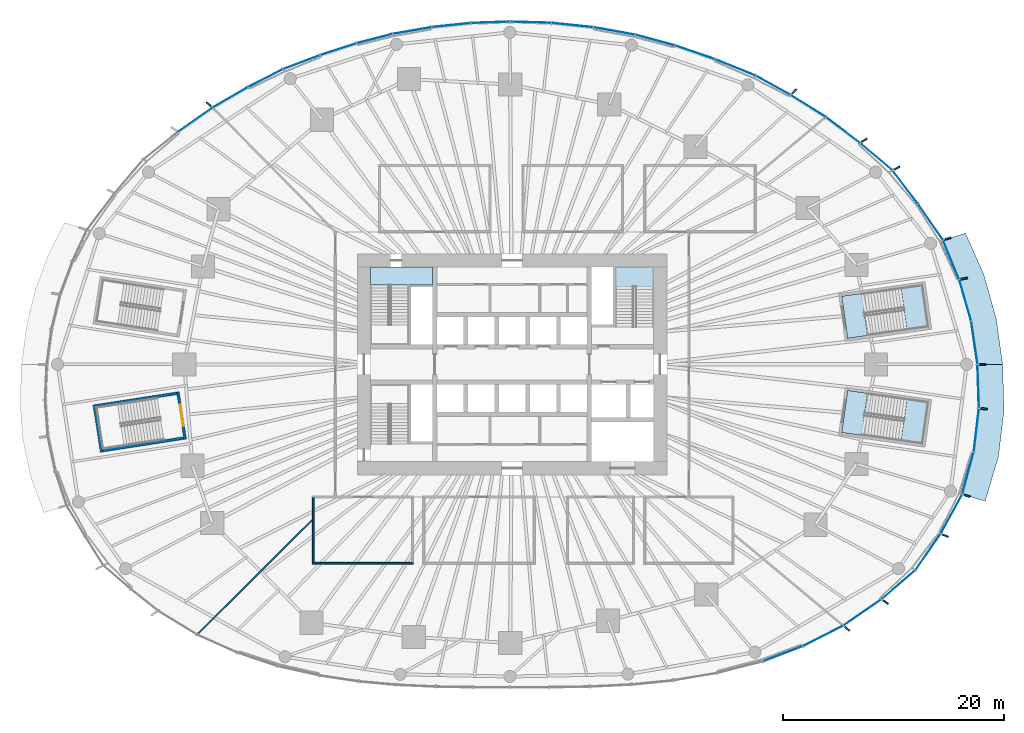
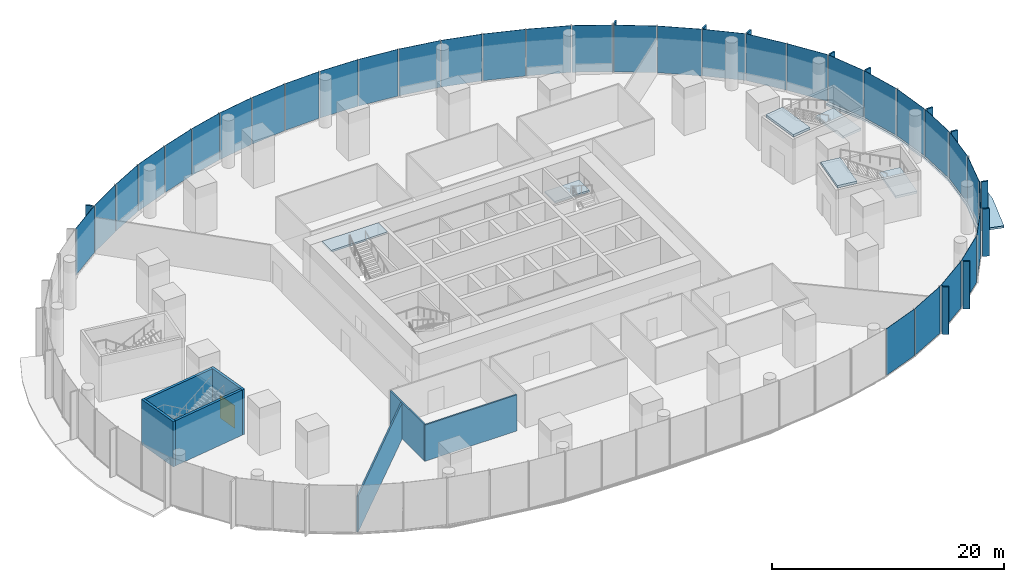
# One storey, part 11 of 28: 45 plates, 8 slabs, 7 walls, 1 door, 1 opening, 15 elements without a shape of their own.
"""IFC4 building model written with IfcOpenShell, lengths in metres."""

from ifc_helpers import new_model, si_unit, direction, frame, frame_2d, origin, origin_2d, place, context, subcontext, project, spatial, polyline, rectangle, outline, extrude, material, layer, layer_set, type_object, element, fill, aggregate, save


model = new_model("IFC4")

# Units and contexts
model_context = context("Model", 3, precision=1e-05, world=origin(), true_north=direction((0.0, 1.0)))
body_context = subcontext(model_context, "Body", "Model", "MODEL_VIEW")
ifc_project = project(units=[si_unit("LENGTHUNIT", "METRE"), si_unit("AREAUNIT", "SQUARE_METRE"), si_unit("VOLUMEUNIT", "CUBIC_METRE"), si_unit("PLANEANGLEUNIT", "RADIAN"), si_unit("MASSUNIT", "GRAM", prefix="KILO")], contexts=[model_context])

# Site, building, storey
site_placement = place(None, origin())
site = spatial("IfcSite", under=ifc_project, at=site_placement, CompositionType="ELEMENT")
building_placement = place(site_placement, origin())
building = spatial("IfcBuilding", under=site, at=building_placement, Name="Ghaith Harvest Tower", CompositionType="ELEMENT")
storey_placement = place(building_placement, frame((0.0, 0.0, 5.0)))
storey = spatial("IfcBuildingStorey", under=building, at=storey_placement, Name="L01", CompositionType="ELEMENT", Elevation=5.0)

# Slabs
ifc_material_1 = material(Name="Concrete C40/50", Category="concrete")
ifc_layer_1 = layer(ifc_material_1, 0.219970703125)
ifc_layer_set_1 = layer_set([ifc_layer_1], Name="CANOPY SLAB 220")
slab_type_1 = type_object("IfcSlabType", Name="CANOPY SLAB 220", PredefinedType="ROOF", material=ifc_layer_set_1)
slab_1_placement = place(storey_placement, frame((0.0, 0.0, -0.219970703125)))
element("IfcSlab", 1, at=slab_1_placement, inside=storey, type_object=slab_type_1, Name="Entrance canopy bay 01", PredefinedType="ROOF", context=body_context, shape_type="SweptSolid", body=[
    extrude(outline(polyline([(42.0, 0.0), (41.43310546875, 3.897216796875), (40.3486328125, 7.658203125), (38.736572265625, 11.195556640625), (41.042236328125, 11.862060546875), (42.70654296875, 8.105712890625), (43.822509765625, 4.1220703125), (44.39990234375, 0.0), (42.0, 0.0)])), origin(), (0.0, 0.0, 1.0), 0.219970703125),
])
slab_2_placement = place(storey_placement, frame((0.0, 0.0, -0.219970703125)))
element("IfcSlab", 2, at=slab_2_placement, inside=storey, type_object=slab_type_1, Name="Entrance canopy bay 20", PredefinedType="ROOF", context=body_context, shape_type="SweptSolid", body=[
    extrude(outline(polyline([(40.513427734375, -11.709228515625), (41.6611328125, -7.9072265625), (42.129150390625, -3.962646484375), (42.0, 0.0), (44.39990234375, 0.0), (44.5185546875, -4.1875), (44.01904296875, -8.354736328125), (42.819091796875, -12.37548828125), (40.513427734375, -11.709228515625)])), origin(), (0.0, 0.0, 1.0), 0.219970703125),
])

# Curtain wall, plates
ifc_material_2 = material(Name="Black anodised aluminium and fritted glass", Category="aluminium")
curtain_wall_type = type_object("IfcCurtainWallType", Name="CW-P CURTAIN WALL", PredefinedType="NOTDEFINED", material=ifc_material_2)
curtain_wall_1_placement = place(storey_placement, origin())
curtain_wall_1 = element("IfcCurtainWall", 3, at=curtain_wall_1_placement, inside=storey, type_object=curtain_wall_type, Name="Curtain wall CW-P bay 01 L01", PredefinedType="NOTDEFINED")
ifc_material_3 = material(Name="Glass, dark solar-control fritted double glazed unit", Category="glass")
ifc_layer_2 = layer(ifc_material_3, 0.035888671875)
ifc_layer_set_2 = layer_set([ifc_layer_2], Name="CW-P VISION PANEL")
plate_type_1 = type_object("IfcPlateType", Name="CW-P VISION PANEL", PredefinedType="CURTAIN_PANEL", material=ifc_layer_set_2)
plate_1_placement = place(storey_placement, frame((41.836181640625, 1.954345703125, 0.080078125), z_axis=(0.0, 0.0, 1.0), x_axis=(-0.143669974219, 0.989625655745, 0.0)))
plate_1 = element("IfcPlate", 4, at=plate_1_placement, type_object=plate_type_1, Name="CW-P glass unit 1 bay 01 L01", PredefinedType="CURTAIN_PANEL", context=body_context, shape_type="SweptSolid", body=[
    extrude(rectangle(XDim=3.869384765625, YDim=0.035888671875, at=origin_2d()), origin(), (0.0, 0.0, 1.0), 4.919921875),
])
plate_2_placement = place(storey_placement, frame((41.009521484375, 5.79443359375, 0.080078125), z_axis=(0.0, 0.0, 1.0), x_axis=(-0.276672749638, 0.96096419788, 0.0)))
plate_2 = element("IfcPlate", 5, at=plate_2_placement, type_object=plate_type_1, Name="CW-P glass unit 2 bay 01 L01", PredefinedType="CURTAIN_PANEL", context=body_context, shape_type="SweptSolid", body=[
    extrude(rectangle(XDim=3.845458984375, YDim=0.035888671875, at=origin_2d()), origin(), (0.0, 0.0, 1.0), 4.919921875),
])
plate_3_placement = place(storey_placement, frame((39.7265625, 9.47412109375, 0.080078125), z_axis=(0.0, 0.0, 1.0), x_axis=(-0.38143049293, 0.924397522207, 0.0)))
plate_3 = element("IfcPlate", 6, at=plate_3_placement, type_object=plate_type_1, Name="CW-P glass unit 3 bay 01 L01", PredefinedType="CURTAIN_PANEL", context=body_context, shape_type="SweptSolid", body=[
    extrude(rectangle(XDim=3.80078125, YDim=0.035888671875, at=origin_2d()), origin(), (0.0, 0.0, 1.0), 4.919921875),
])
aggregate(curtain_wall_1, [plate_1, plate_2, plate_3])

curtain_wall_2_placement = place(storey_placement, origin())
curtain_wall_2 = element("IfcCurtainWall", 7, at=curtain_wall_2_placement, inside=storey, type_object=curtain_wall_type, Name="Curtain wall CW-P bay 02 L01", PredefinedType="NOTDEFINED")
plate_4_placement = place(storey_placement, frame((37.86181640625, 12.89599609375, 0.080078125), z_axis=(0.0, 0.0, 1.0), x_axis=(-0.568319762502, 0.822807782869, 0.0)))
plate_4 = element("IfcPlate", 8, at=plate_4_placement, type_object=plate_type_1, Name="CW-P glass unit 1 bay 02 L01", PredefinedType="CURTAIN_PANEL", context=body_context, shape_type="SweptSolid", body=[
    extrude(rectangle(XDim=3.87744140625, YDim=0.035888671875, at=origin_2d()), origin(), (0.0, 0.0, 1.0), 4.919921875),
])
plate_5_placement = place(storey_placement, frame((35.58056640625, 16.040283203125, 0.080078125), z_axis=(0.0, 0.0, 1.0), x_axis=(-0.606572464955, 0.79502820375, 0.0)))
plate_5 = element("IfcPlate", 9, at=plate_5_placement, type_object=plate_type_1, Name="CW-P glass unit 2 bay 02 L01", PredefinedType="CURTAIN_PANEL", context=body_context, shape_type="SweptSolid", body=[
    extrude(rectangle(XDim=3.734375, YDim=0.035888671875, at=origin_2d()), origin(), (0.0, 0.0, 1.0), 4.919921875),
])
plate_6_placement = place(storey_placement, frame((32.95703125, 18.798583984375, 0.080078125), z_axis=(0.0, 0.0, 1.0), x_axis=(-0.763058226753, 0.646329747563, 0.0)))
plate_6 = element("IfcPlate", 10, at=plate_6_placement, type_object=plate_type_1, Name="CW-P glass unit 3 bay 02 L01", PredefinedType="CURTAIN_PANEL", context=body_context, shape_type="SweptSolid", body=[
    extrude(rectangle(XDim=3.763916015625, YDim=0.035888671875, at=origin_2d()), origin(), (0.0, 0.0, 1.0), 4.919921875),
])
aggregate(curtain_wall_2, [plate_4, plate_5, plate_6])

curtain_wall_3_placement = place(storey_placement, origin())
curtain_wall_3 = element("IfcCurtainWall", 11, at=curtain_wall_3_placement, inside=storey, type_object=curtain_wall_type, Name="Curtain wall CW-P bay 03 L01", PredefinedType="NOTDEFINED")
plate_7_placement = place(storey_placement, frame((29.939208984375, 21.217529296875, 0.080078125), z_axis=(0.0, 0.0, 1.0), x_axis=(-0.796789304004, 0.604257234152, 0.0)))
plate_7 = element("IfcPlate", 12, at=plate_7_placement, type_object=plate_type_1, Name="CW-P glass unit 1 bay 03 L01", PredefinedType="CURTAIN_PANEL", context=body_context, shape_type="SweptSolid", body=[
    extrude(rectangle(XDim=3.814208984375, YDim=0.035888671875, at=origin_2d()), origin(), (0.0, 0.0, 1.0), 4.919921875),
])
plate_8_placement = place(storey_placement, frame((26.792236328125, 23.390625, 0.080078125), z_axis=(0.0, 0.0, 1.0), x_axis=(-0.848104662125, 0.529828729008, 0.0)))
plate_8 = element("IfcPlate", 13, at=plate_8_placement, type_object=plate_type_1, Name="CW-P glass unit 2 bay 03 L01", PredefinedType="CURTAIN_PANEL", context=body_context, shape_type="SweptSolid", body=[
    extrude(rectangle(XDim=3.68212890625, YDim=0.035888671875, at=origin_2d()), origin(), (0.0, 0.0, 1.0), 4.919921875),
])
plate_9_placement = place(storey_placement, frame((23.61669921875, 25.259765625, 0.080078125), z_axis=(0.0, 0.0, 1.0), x_axis=(-0.875433237437, 0.483339059865, 0.0)))
plate_9 = element("IfcPlate", 14, at=plate_9_placement, type_object=plate_type_1, Name="CW-P glass unit 3 bay 03 L01", PredefinedType="CURTAIN_PANEL", context=body_context, shape_type="SweptSolid", body=[
    extrude(rectangle(XDim=3.5302734375, YDim=0.035888671875, at=origin_2d()), origin(), (0.0, 0.0, 1.0), 4.919921875),
])
aggregate(curtain_wall_3, [plate_7, plate_8, plate_9])

curtain_wall_4_placement = place(storey_placement, origin())
curtain_wall_4 = element("IfcCurtainWall", 15, at=curtain_wall_4_placement, inside=storey, type_object=curtain_wall_type, Name="Curtain wall CW-P bay 04 L01", PredefinedType="NOTDEFINED")
plate_10_placement = place(storey_placement, frame((20.19189453125, 26.87744140625, 0.080078125), z_axis=(0.0, 0.0, 1.0), x_axis=(-0.927191364168, 0.374588005964, 0.0)))
plate_10 = element("IfcPlate", 16, at=plate_10_placement, type_object=plate_type_1, Name="CW-P glass unit 1 bay 04 L01", PredefinedType="CURTAIN_PANEL", context=body_context, shape_type="SweptSolid", body=[
    extrude(rectangle(XDim=3.89892578125, YDim=0.035888671875, at=origin_2d()), origin(), (0.0, 0.0, 1.0), 4.919921875),
])
plate_11_placement = place(storey_placement, frame((16.54150390625, 28.243896484375, 0.080078125), z_axis=(0.0, 0.0, 1.0), x_axis=(-0.945624046403, 0.325261683672, 0.0)))
plate_11 = element("IfcPlate", 17, at=plate_11_placement, type_object=plate_type_1, Name="CW-P glass unit 2 bay 04 L01", PredefinedType="CURTAIN_PANEL", context=body_context, shape_type="SweptSolid", body=[
    extrude(rectangle(XDim=3.739013671875, YDim=0.035888671875, at=origin_2d()), origin(), (0.0, 0.0, 1.0), 4.919921875),
])
plate_12_placement = place(storey_placement, frame((12.944091796875, 29.3486328125, 0.080078125), z_axis=(0.0, 0.0, 1.0), x_axis=(-0.965444604575, 0.260608356539, 0.0)))
plate_12 = element("IfcPlate", 18, at=plate_12_placement, type_object=plate_type_1, Name="CW-P glass unit 3 bay 04 L01", PredefinedType="CURTAIN_PANEL", context=body_context, shape_type="SweptSolid", body=[
    extrude(rectangle(XDim=3.6318359375, YDim=0.035888671875, at=origin_2d()), origin(), (0.0, 0.0, 1.0), 4.919921875),
])
aggregate(curtain_wall_4, [plate_10, plate_11, plate_12])

curtain_wall_5_placement = place(storey_placement, origin())
curtain_wall_5 = element("IfcCurtainWall", 19, at=curtain_wall_5_placement, inside=storey, type_object=curtain_wall_type, Name="Curtain wall CW-P bay 05 L01", PredefinedType="NOTDEFINED")
plate_13_placement = place(storey_placement, frame((9.248779296875, 30.17333984375, 0.080078125), z_axis=(0.0, 0.0, 1.0), x_axis=(-0.984324537633, 0.176366676597, 0.0)))
plate_13 = element("IfcPlate", 20, at=plate_13_placement, type_object=plate_type_1, Name="CW-P glass unit 1 bay 05 L01", PredefinedType="CURTAIN_PANEL", context=body_context, shape_type="SweptSolid", body=[
    extrude(rectangle(XDim=3.787841796875, YDim=0.035888671875, at=origin_2d()), origin(), (0.0, 0.0, 1.0), 4.919921875),
])
plate_14_placement = place(storey_placement, frame((5.452880859375, 30.711669921875, 0.080078125), z_axis=(0.0, 0.0, 1.0), x_axis=(-0.994606630685, 0.103719092734, 0.0)))
plate_14 = element("IfcPlate", 21, at=plate_14_placement, type_object=plate_type_1, Name="CW-P glass unit 2 bay 05 L01", PredefinedType="CURTAIN_PANEL", context=body_context, shape_type="SweptSolid", body=[
    extrude(rectangle(XDim=3.72509765625, YDim=0.035888671875, at=origin_2d()), origin(), (0.0, 0.0, 1.0), 4.919921875),
])
plate_15_placement = place(storey_placement, frame((1.674072265625, 30.96435546875, 0.080078125), z_axis=(0.0, 0.0, 1.0), x_axis=(-0.999570129731, 0.0293181812, 0.0)))
plate_15 = element("IfcPlate", 22, at=plate_15_placement, type_object=plate_type_1, Name="CW-P glass unit 3 bay 05 L01", PredefinedType="CURTAIN_PANEL", context=body_context, shape_type="SweptSolid", body=[
    extrude(rectangle(XDim=3.6943359375, YDim=0.035888671875, at=origin_2d()), origin(), (0.0, 0.0, 1.0), 4.919921875),
])
aggregate(curtain_wall_5, [plate_13, plate_14, plate_15])

curtain_wall_6_placement = place(storey_placement, origin())
curtain_wall_6 = element("IfcCurtainWall", 23, at=curtain_wall_6_placement, inside=storey, type_object=curtain_wall_type, Name="Curtain wall CW-P bay 06 L01", PredefinedType="NOTDEFINED")
plate_16_placement = place(storey_placement, frame((-1.970458984375, 30.958740234375, 0.080078125), z_axis=(0.0, 0.0, 1.0), x_axis=(-0.99939937953, -0.034653718343, 0.0)))
plate_16 = element("IfcPlate", 24, at=plate_16_placement, type_object=plate_type_1, Name="CW-P glass unit 1 bay 06 L01", PredefinedType="CURTAIN_PANEL", context=body_context, shape_type="SweptSolid", body=[
    extrude(rectangle(XDim=3.4384765625, YDim=0.035888671875, at=origin_2d()), origin(), (0.0, 0.0, 1.0), 4.919921875),
])
plate_17_placement = place(storey_placement, frame((-5.4921875, 30.71240234375, 0.080078125), z_axis=(0.0, 0.0, 1.0), x_axis=(-0.994524938155, -0.104499509031, 0.0)))
plate_17 = element("IfcPlate", 25, at=plate_17_placement, type_object=plate_type_1, Name="CW-P glass unit 2 bay 06 L01", PredefinedType="CURTAIN_PANEL", context=body_context, shape_type="SweptSolid", body=[
    extrude(rectangle(XDim=3.46630859375, YDim=0.035888671875, at=origin_2d()), origin(), (0.0, 0.0, 1.0), 4.919921875),
])
plate_18_placement = place(storey_placement, frame((-9.029052734375, 30.218505859375, 0.080078125), z_axis=(0.0, 0.0, 1.0), x_axis=(-0.985183345392, -0.171504448814, 0.0)))
plate_18 = element("IfcPlate", 26, at=plate_18_placement, type_object=plate_type_1, Name="CW-P glass unit 3 bay 06 L01", PredefinedType="CURTAIN_PANEL", context=body_context, shape_type="SweptSolid", body=[
    extrude(rectangle(XDim=3.5205078125, YDim=0.035888671875, at=origin_2d()), origin(), (0.0, 0.0, 1.0), 4.919921875),
])
aggregate(curtain_wall_6, [plate_16, plate_17, plate_18])

curtain_wall_7_placement = place(storey_placement, origin())
curtain_wall_7 = element("IfcCurtainWall", 27, at=curtain_wall_7_placement, inside=storey, type_object=curtain_wall_type, Name="Curtain wall CW-P bay 07 L01", PredefinedType="NOTDEFINED")
plate_19_placement = place(storey_placement, frame((-12.441162109375, 29.484619140625, 0.080078125), z_axis=(0.0, 0.0, 1.0), x_axis=(-0.967939505132, -0.251183427805, 0.0)))
plate_19 = element("IfcPlate", 28, at=plate_19_placement, type_object=plate_type_1, Name="CW-P glass unit 1 bay 07 L01", PredefinedType="CURTAIN_PANEL", context=body_context, shape_type="SweptSolid", body=[
    extrude(rectangle(XDim=3.30517578125, YDim=0.035888671875, at=origin_2d()), origin(), (0.0, 0.0, 1.0), 4.919921875),
])
plate_20_placement = place(storey_placement, frame((-15.7294921875, 28.52197265625, 0.080078125), z_axis=(0.0, 0.0, 1.0), x_axis=(-0.950850408978, -0.309650609149, 0.0)))
plate_20 = element("IfcPlate", 29, at=plate_20_placement, type_object=plate_type_1, Name="CW-P glass unit 2 bay 07 L01", PredefinedType="CURTAIN_PANEL", context=body_context, shape_type="SweptSolid", body=[
    extrude(rectangle(XDim=3.390869140625, YDim=0.035888671875, at=origin_2d()), origin(), (0.0, 0.0, 1.0), 4.919921875),
])
plate_21_placement = place(storey_placement, frame((-19.0634765625, 27.349365234375, 0.080078125), z_axis=(0.0, 0.0, 1.0), x_axis=(-0.935612347435, -0.353029085667, 0.0)))
plate_21 = element("IfcPlate", 30, at=plate_21_placement, type_object=plate_type_1, Name="CW-P glass unit 3 bay 07 L01", PredefinedType="CURTAIN_PANEL", context=body_context, shape_type="SweptSolid", body=[
    extrude(rectangle(XDim=3.51904296875, YDim=0.035888671875, at=origin_2d()), origin(), (0.0, 0.0, 1.0), 4.919921875),
])
aggregate(curtain_wall_7, [plate_19, plate_20, plate_21])

curtain_wall_8_placement = place(storey_placement, origin())
curtain_wall_8 = element("IfcCurtainWall", 31, at=curtain_wall_8_placement, inside=storey, type_object=curtain_wall_type, Name="Curtain wall CW-P bay 08 L01", PredefinedType="NOTDEFINED")
plate_22_placement = place(storey_placement, frame((-22.32763671875, 25.904541015625, 0.080078125), z_axis=(0.0, 0.0, 1.0), x_axis=(-0.890032995801, -0.455896113589, 0.0)))
plate_22 = element("IfcPlate", 32, at=plate_22_placement, type_object=plate_type_1, Name="CW-P glass unit 1 bay 08 L01", PredefinedType="CURTAIN_PANEL", context=body_context, shape_type="SweptSolid", body=[
    extrude(rectangle(XDim=3.4716796875, YDim=0.035888671875, at=origin_2d()), origin(), (0.0, 0.0, 1.0), 4.919921875),
])
plate_23_placement = place(storey_placement, frame((-25.5068359375, 24.167236328125, 0.080078125), z_axis=(0.0, 0.0, 1.0), x_axis=(-0.864982081732, -0.50180274838, 0.0)))
plate_23 = element("IfcPlate", 33, at=plate_23_placement, type_object=plate_type_1, Name="CW-P glass unit 2 bay 08 L01", PredefinedType="CURTAIN_PANEL", context=body_context, shape_type="SweptSolid", body=[
    extrude(rectangle(XDim=3.616943359375, YDim=0.035888671875, at=origin_2d()), origin(), (0.0, 0.0, 1.0), 4.919921875),
])
plate_24_placement = place(storey_placement, frame((-28.675048828125, 22.14208984375, 0.080078125), z_axis=(0.0, 0.0, 1.0), x_axis=(-0.819391761337, -0.573233932572, 0.0)))
plate_24 = element("IfcPlate", 34, at=plate_24_placement, type_object=plate_type_1, Name="CW-P glass unit 3 bay 08 L01", PredefinedType="CURTAIN_PANEL", context=body_context, shape_type="SweptSolid", body=[
    extrude(rectangle(XDim=3.750244140625, YDim=0.035888671875, at=origin_2d()), origin(), (0.0, 0.0, 1.0), 4.919921875),
])
aggregate(curtain_wall_8, [plate_22, plate_23, plate_24])

curtain_wall_9_placement = place(storey_placement, origin())
curtain_wall_9 = element("IfcCurtainWall", 35, at=curtain_wall_9_placement, inside=storey, type_object=curtain_wall_type, Name="Curtain wall CW-P bay 18 L01", PredefinedType="NOTDEFINED")
plate_25_placement = place(storey_placement, frame((24.50927734375, -26.193603515625, 0.080078125), z_axis=(0.0, 0.0, 1.0), x_axis=(0.933706409347, 0.358039580416, 0.0)))
plate_25 = element("IfcPlate", 36, at=plate_25_placement, type_object=plate_type_1, Name="CW-P glass unit 1 bay 18 L01", PredefinedType="CURTAIN_PANEL", context=body_context, shape_type="SweptSolid", body=[
    extrude(rectangle(XDim=3.838623046875, YDim=0.035888671875, at=origin_2d()), origin(), (0.0, 0.0, 1.0), 4.919921875),
])
plate_26_placement = place(storey_placement, frame((28.1552734375, -24.56787109375, 0.080078125), z_axis=(0.0, 0.0, 1.0), x_axis=(0.891266896046, 0.453479128531, 0.0)))
plate_26 = element("IfcPlate", 37, at=plate_26_placement, type_object=plate_type_1, Name="CW-P glass unit 2 bay 18 L01", PredefinedType="CURTAIN_PANEL", context=body_context, shape_type="SweptSolid", body=[
    extrude(rectangle(XDim=3.996337890625, YDim=0.035888671875, at=origin_2d()), origin(), (0.0, 0.0, 1.0), 4.919921875),
])
plate_27_placement = place(storey_placement, frame((31.693603515625, -22.454833984375, 0.080078125), z_axis=(0.0, 0.0, 1.0), x_axis=(0.822893098404, 0.568196223676, 0.0)))
plate_27 = element("IfcPlate", 38, at=plate_27_placement, type_object=plate_type_1, Name="CW-P glass unit 3 bay 18 L01", PredefinedType="CURTAIN_PANEL", context=body_context, shape_type="SweptSolid", body=[
    extrude(rectangle(XDim=4.104736328125, YDim=0.035888671875, at=origin_2d()), origin(), (0.0, 0.0, 1.0), 4.919921875),
])
aggregate(curtain_wall_9, [plate_25, plate_26, plate_27])

curtain_wall_10_placement = place(storey_placement, origin())
curtain_wall_10 = element("IfcCurtainWall", 39, at=curtain_wall_10_placement, inside=storey, type_object=curtain_wall_type, Name="Curtain wall CW-P bay 19 L01", PredefinedType="NOTDEFINED")
plate_28_placement = place(storey_placement, frame((34.957763671875, -19.940673828125, 0.080078125), z_axis=(0.0, 0.0, 1.0), x_axis=(0.758467415439, 0.651710963324, 0.0)))
plate_28 = element("IfcPlate", 40, at=plate_28_placement, type_object=plate_type_1, Name="CW-P glass unit 1 bay 19 L01", PredefinedType="CURTAIN_PANEL", context=body_context, shape_type="SweptSolid", body=[
    extrude(rectangle(XDim=3.98681640625, YDim=0.035888671875, at=origin_2d()), origin(), (0.0, 0.0, 1.0), 4.919921875),
])
plate_29_placement = place(storey_placement, frame((37.639892578125, -16.973388671875, 0.080078125), z_axis=(0.0, 0.0, 1.0), x_axis=(0.570248867326, 0.821471989366, 0.0)))
plate_29 = element("IfcPlate", 41, at=plate_29_placement, type_object=plate_type_1, Name="CW-P glass unit 2 bay 19 L01", PredefinedType="CURTAIN_PANEL", context=body_context, shape_type="SweptSolid", body=[
    extrude(rectangle(XDim=3.917724609375, YDim=0.035888671875, at=origin_2d()), origin(), (0.0, 0.0, 1.0), 4.919921875),
])
plate_30_placement = place(storey_placement, frame((39.757080078125, -13.55224609375, 0.080078125), z_axis=(0.0, 0.0, 1.0), x_axis=(0.481454224792, 0.876471237081, 0.0)))
plate_30 = element("IfcPlate", 42, at=plate_30_placement, type_object=plate_type_1, Name="CW-P glass unit 3 bay 19 L01", PredefinedType="CURTAIN_PANEL", context=body_context, shape_type="SweptSolid", body=[
    extrude(rectangle(XDim=3.97998046875, YDim=0.035888671875, at=origin_2d()), origin(), (0.0, 0.0, 1.0), 4.919921875),
])
aggregate(curtain_wall_10, [plate_28, plate_29, plate_30])

curtain_wall_11_placement = place(storey_placement, origin())
curtain_wall_11 = element("IfcCurtainWall", 43, at=curtain_wall_11_placement, inside=storey, type_object=curtain_wall_type, Name="Curtain wall CW-P bay 20 L01", PredefinedType="NOTDEFINED")
plate_31_placement = place(storey_placement, frame((41.256591796875, -9.851318359375, 0.080078125), z_axis=(0.0, 0.0, 1.0), x_axis=(0.262306630804, 0.96498457575, 0.0)))
plate_31 = element("IfcPlate", 44, at=plate_31_placement, type_object=plate_type_1, Name="CW-P glass unit 1 bay 20 L01", PredefinedType="CURTAIN_PANEL", context=body_context, shape_type="SweptSolid", body=[
    extrude(rectangle(XDim=3.90283203125, YDim=0.035888671875, at=origin_2d()), origin(), (0.0, 0.0, 1.0), 4.919921875),
])
plate_32_placement = place(storey_placement, frame((42.013916015625, -5.951904296875, 0.080078125), z_axis=(0.0, 0.0, 1.0), x_axis=(0.117877426804, 0.993028152798, 0.0)))
plate_32 = element("IfcPlate", 45, at=plate_32_placement, type_object=plate_type_1, Name="CW-P glass unit 2 bay 20 L01", PredefinedType="CURTAIN_PANEL", context=body_context, shape_type="SweptSolid", body=[
    extrude(rectangle(XDim=3.903564453125, YDim=0.035888671875, at=origin_2d()), origin(), (0.0, 0.0, 1.0), 4.919921875),
])
plate_33_placement = place(storey_placement, frame((42.184326171875, -1.987060546875, 0.080078125), z_axis=(0.0, 0.0, 1.0), x_axis=(-0.032352405478, 0.999476523916, 0.0)))
plate_33 = element("IfcPlate", 46, at=plate_33_placement, type_object=plate_type_1, Name="CW-P glass unit 3 bay 20 L01", PredefinedType="CURTAIN_PANEL", context=body_context, shape_type="SweptSolid", body=[
    extrude(rectangle(XDim=3.89599609375, YDim=0.035888671875, at=origin_2d()), origin(), (0.0, 0.0, 1.0), 4.919921875),
])
aggregate(curtain_wall_11, [plate_31, plate_32, plate_33])

# Stair, slab
ifc_material_4 = material(Name="Concrete C40/50, precast", Category="concrete")
stair_type_1 = type_object("IfcStairType", Name="CORE STAIR 28R", PredefinedType="HALF_TURN_STAIR", material=ifc_material_4)
stair_1_placement = place(storey_placement, origin())
stair_1 = element("IfcStair", 47, at=stair_1_placement, inside=storey, type_object=stair_type_1, Name="Stair ST1 L01", PredefinedType="HALF_TURN_STAIR")
ifc_material_5 = material(Name="Concrete C40/50, precast", Category="concrete")
ifc_layer_3 = layer(ifc_material_5, 0.179931640625)
ifc_layer_set_3 = layer_set([ifc_layer_3], Name="STAIR LANDING 180")
slab_type_2 = type_object("IfcSlabType", Name="STAIR LANDING 180", PredefinedType="LANDING", material=ifc_layer_set_3)
slab_3_placement = place(storey_placement, frame((0.0, 0.0, 4.820068359375)))
slab_3 = element("IfcSlab", 48, at=slab_3_placement, type_object=slab_type_2, Name="ST1 landing 2", PredefinedType="LANDING", context=body_context, shape_type="SweptSolid", body=[
    extrude(outline(polyline([(-12.800048828125, 8.800048828125), (-12.800048828125, 7.199951171875), (-7.199951171875, 7.199951171875), (-7.199951171875, 8.800048828125), (-12.800048828125, 8.800048828125)])), origin(), (0.0, 0.0, 1.0), 0.179931640625),
])
aggregate(stair_1, [slab_3])

stair_2_placement = place(storey_placement, origin())
stair_2 = element("IfcStair", 49, at=stair_2_placement, inside=storey, type_object=stair_type_1, Name="Stair ST2 L01", PredefinedType="HALF_TURN_STAIR")
slab_4_placement = place(storey_placement, frame((0.0, 0.0, 2.320068359375)))
slab_4 = element("IfcSlab", 50, at=slab_4_placement, type_object=slab_type_2, Name="ST2 landing 1", PredefinedType="LANDING", context=body_context, shape_type="SweptSolid", body=[
    extrude(outline(polyline([(12.800048828125, 7.02001953125), (12.800048828125, 8.800048828125), (9.35009765625, 8.800048828125), (9.35009765625, 7.02001953125), (12.800048828125, 7.02001953125)])), origin(), (0.0, 0.0, 1.0), 0.179931640625),
])
aggregate(stair_2, [slab_4])

# Stair, slabs
ifc_material_6 = material(Name="Concrete C40/50, precast", Category="concrete")
stair_type_2 = type_object("IfcStairType", Name="PODIUM STAIR 28R", PredefinedType="HALF_TURN_STAIR", material=ifc_material_6)
stair_3_placement = place(storey_placement, origin())
stair_3 = element("IfcStair", 51, at=stair_3_placement, inside=storey, type_object=stair_type_2, Name="Stair PS1 L01", PredefinedType="HALF_TURN_STAIR")
ifc_material_7 = material(Name="Concrete C40/50, precast", Category="concrete")
ifc_layer_4 = layer(ifc_material_7, 0.25)
ifc_layer_set_4 = layer_set([ifc_layer_4], Name="STAIR LANDING 250")
slab_type_3 = type_object("IfcSlabType", Name="STAIR LANDING 250", PredefinedType="LANDING", material=ifc_layer_set_4)
slab_5_placement = place(storey_placement, frame((0.0, 0.0, 2.25)))
slab_5 = element("IfcSlab", 52, at=slab_5_placement, type_object=slab_type_3, Name="PS1 landing 1", PredefinedType="LANDING", context=body_context, shape_type="SweptSolid", body=[
    extrude(outline(polyline([(35.736083984375, 3.116455078125), (37.696533203125, 3.39404296875), (37.15673828125, 7.2060546875), (35.1962890625, 6.928466796875), (35.736083984375, 3.116455078125)])), origin(), (0.0, 0.0, 1.0), 0.25),
])
slab_6_placement = place(storey_placement, frame((0.0, 0.0, 4.75)))
slab_6 = element("IfcSlab", 53, at=slab_6_placement, type_object=slab_type_3, Name="PS1 landing 2", PredefinedType="LANDING", context=body_context, shape_type="SweptSolid", body=[
    extrude(outline(polyline([(30.36962890625, 2.3564453125), (32.171630859375, 2.61181640625), (31.6318359375, 6.423583984375), (29.829833984375, 6.16845703125), (30.36962890625, 2.3564453125)])), origin(), (0.0, 0.0, 1.0), 0.25),
])
aggregate(stair_3, [slab_5, slab_6])

stair_4_placement = place(storey_placement, origin())
stair_4 = element("IfcStair", 54, at=stair_4_placement, inside=storey, type_object=stair_type_2, Name="Stair PS4 L01", PredefinedType="HALF_TURN_STAIR")
slab_7_placement = place(storey_placement, frame((0.0, 0.0, 2.25)))
slab_7 = element("IfcSlab", 55, at=slab_7_placement, type_object=slab_type_3, Name="PS4 landing 1", PredefinedType="LANDING", context=body_context, shape_type="SweptSolid", body=[
    extrude(outline(polyline([(35.1962890625, -6.928466796875), (37.15673828125, -7.2060546875), (37.696533203125, -3.39404296875), (35.736083984375, -3.116455078125), (35.1962890625, -6.928466796875)])), origin(), (0.0, 0.0, 1.0), 0.25),
])
slab_8_placement = place(storey_placement, frame((0.0, 0.0, 4.75)))
slab_8 = element("IfcSlab", 56, at=slab_8_placement, type_object=slab_type_3, Name="PS4 landing 2", PredefinedType="LANDING", context=body_context, shape_type="SweptSolid", body=[
    extrude(outline(polyline([(29.829833984375, -6.16845703125), (31.6318359375, -6.423583984375), (32.171630859375, -2.61181640625), (30.36962890625, -2.3564453125), (29.829833984375, -6.16845703125)])), origin(), (0.0, 0.0, 1.0), 0.25),
])
aggregate(stair_4, [slab_7, slab_8])

# Plates
ifc_material_8 = material(Name="Glassfibre-reinforced concrete", Category="concrete")
ifc_layer_5 = layer(ifc_material_8, 0.14990234375)
ifc_layer_set_5 = layer_set([ifc_layer_5], Name="SUN-BREAKER FIN 600x150")
plate_type_2 = type_object("IfcPlateType", Name="SUN-BREAKER FIN 600x150", PredefinedType="USERDEFINED", material=ifc_layer_set_5)
for number, where, z_axis, x_axis, name in (
    (57, (42.570068359375, 0.0, 0.0), (0.0, 0.0, 1.0), (1.0, 0.0, 0.0), "Sun-breaker fin CW-P 1 bay 01 L01"),
    (58, (40.90869140625, 7.764404296875, 0.0), (0.0, 0.0, 1.0), (0.982460376956, 0.186471466213, 0.0), "Sun-breaker fin CW-P 3 bay 01 L01"),
    (59, (39.418701171875, 11.392822265625, 0.0), (0.0, 0.0, 1.0), (0.960680349985, 0.277656739792, 0.0), "Sun-breaker fin CW-P 1 bay 02 L01"),
    (60, (34.824462890625, 17.760986328125, 0.0), (0.0, 0.0, 1.0), (0.890830752257, 0.454335306611, 0.0), "Sun-breaker fin CW-P 3 bay 02 L01"),
    (61, (31.8701171875, 20.282470703125, 0.0), (0.0, 0.0, 1.0), (0.843643971464, 0.536903016766, 0.0), "Sun-breaker fin CW-P 1 bay 03 L01"),
    (62, (25.5205078125, 24.7001953125, 0.0), (0.0, 0.0, 1.0), (0.7185589652, 0.69546604053, 0.0), "Sun-breaker fin CW-P 3 bay 03 L01"),
    (63, (-27.447509765625, 23.53271484375, 0.0), (0.0, 0.0, 1.0), (-0.759169742643, 0.650892696115, 0.0), "Sun-breaker fin CW-P 3 bay 08 L01"),
    (64, (30.324951171875, -23.92236328125, 0.0), (0.0, 0.0, 1.0), (0.785114680351, -0.619350416725, 0.0), "Sun-breaker fin CW-P 3 bay 18 L01"),
    (65, (33.795166015625, -21.507568359375, 0.0), (0.0, 0.0, 1.0), (0.84364397137, -0.536903016913, 0.0), "Sun-breaker fin CW-P 1 bay 19 L01"),
    (66, (39.1982421875, -15.496826171875, 0.0), (0.0, 0.0, 1.0), (0.929960843071, -0.367658578513, 0.0), "Sun-breaker fin CW-P 3 bay 19 L01"),
    (67, (41.16650390625, -11.89794921875, 0.0), (0.0, 0.0, 1.0), (0.960680349932, -0.277656739976, 0.0), "Sun-breaker fin CW-P 1 bay 20 L01"),
    (68, (42.69677734375, -4.01611328125, 0.0), (0.0, 0.0, 1.0), (0.995605438136, -0.093647272008, 0.0), "Sun-breaker fin CW-P 3 bay 20 L01"),
):
    element("IfcPlate", number, at=place(storey_placement, frame(where, z_axis=z_axis, x_axis=x_axis)), inside=storey, type_object=plate_type_2, Name=name, ObjectType="SUN-BREAKER FIN", PredefinedType="USERDEFINED", context=body_context, shape_type="SweptSolid", body=[
        extrude(rectangle(XDim=0.60009765625, YDim=0.14990234375, at=origin_2d()), origin(), (0.0, 0.0, 1.0), 5.0),
    ])

# Walls
ifc_material_9 = material(Name="Gypsum board on steel studs", Category="steel")
ifc_layer_6 = layer(ifc_material_9, 0.14990234375)
ifc_layer_set_6 = layer_set([ifc_layer_6], Name="PARTITION 150")
wall_type_1 = type_object("IfcWallType", Name="PARTITION 150", PredefinedType="PARTITIONING", material=ifc_layer_set_6)
wall_1_placement = place(storey_placement, frame((-18.02001953125, -14.010986328125, 0.0), z_axis=(0.0, 0.0, 1.0), x_axis=(-0.708653309279, -0.705556863228, 0.0)))
element("IfcWall", 69, at=wall_1_placement, inside=storey, type_object=wall_type_1, Name="Partition L01 zone division", PredefinedType="PARTITIONING", context=body_context, shape_type="SweptSolid", body=[
    extrude(rectangle(XDim=14.665283203125, YDim=0.14990234375, at=frame_2d((7.33251953125, 0.0))), origin(), (0.0, 0.0, 1.0), 3.800048828125),
])
wall_2_placement = place(storey_placement, frame((-18.074951171875, -18.0, 0.0), z_axis=(0.0, 0.0, 1.0), x_axis=(1.0, 0.0, 0.0)))
element("IfcWall", 70, at=wall_2_placement, inside=storey, type_object=wall_type_1, Name="Partition L01-06", PredefinedType="PARTITIONING", context=body_context, shape_type="SweptSolid", body=[
    extrude(rectangle(XDim=9.14990234375, YDim=0.14990234375, at=frame_2d((4.574951171875, 0.0))), origin(), (0.0, 0.0, 1.0), 3.800048828125),
])
wall_3_placement = place(storey_placement, frame((-18.0, -17.925048828125, 0.0), z_axis=(0.0, 0.0, 1.0), x_axis=(0.0, 1.0, 0.0)))
element("IfcWall", 71, at=wall_3_placement, inside=storey, type_object=wall_type_1, Name="Partition L01-06", PredefinedType="PARTITIONING", context=body_context, shape_type="SweptSolid", body=[
    extrude(rectangle(XDim=5.85009765625, YDim=0.14990234375, at=frame_2d((2.925048828125, 0.0))), origin(), (0.0, 0.0, 1.0), 3.800048828125),
])

# Wall, opening, door
ifc_material_10 = material(Name="Concrete C40/50", Category="concrete")
ifc_layer_7 = layer(ifc_material_10, 0.25)
ifc_layer_set_7 = layer_set([ifc_layer_7], Name="STAIR ENCLOSURE WALL RC250")
wall_type_2 = type_object("IfcWallType", Name="STAIR ENCLOSURE WALL RC250", PredefinedType="SOLIDWALL", material=ifc_layer_set_7)
wall_4_placement = place(storey_placement, frame((-30.251708984375, -2.47802734375, 0.0), z_axis=(0.0, 0.0, 1.0), x_axis=(0.152820464277, -0.988253968218, 0.0)))
wall_4 = element("IfcWall", 72, at=wall_4_placement, inside=storey, type_object=wall_type_2, Name="Stair PS3 enclosure wall L01", PredefinedType="SOLIDWALL", context=body_context, shape_type="SweptSolid", body=[
    extrude(rectangle(XDim=4.35009765625, YDim=0.25, at=frame_2d((2.175048828125, 0.0))), origin(), (0.0, 0.0, 1.0), 4.75),
])
opening_placement = place(wall_4_placement, frame((1.175048828125, 0.0, 0.0)))
opening = element("IfcOpeningElement", 73, at=opening_placement, cuts=wall_4, Name="Opening 01-026", PredefinedType="OPENING", context=body_context, shape_type="SweptSolid", body=[
    extrude(rectangle(XDim=2.0, YDim=2.39990234375, at=frame_2d((1.0, 1.199951171875))), frame((0.0, 0.135009765625, 0.0), z_axis=(0.0, -1.0, 0.0), x_axis=(1.0, 0.0, 0.0)), (0.0, 0.0, 1.0), 0.27001953125),
])
ifc_material_11 = material(Name="Steel fire door", Category="steel")
door_type = type_object("IfcDoorType", Name="D8 FD90 PAIR 2000x2400", OperationType="DOUBLE_DOOR_SINGLE_SWING", PredefinedType="DOOR", material=ifc_material_11)
door_placement = place(opening_placement, origin())
door = element("IfcDoor", 74, at=door_placement, inside=storey, type_object=door_type, Name="Stair PS3 doors", OperationType="DOUBLE_DOOR_SINGLE_SWING", OverallHeight=2.39990234375, OverallWidth=2.0, PredefinedType="DOOR", context=body_context, shape_type="SweptSolid", body=[
    extrude(rectangle(XDim=2.0, YDim=2.39990234375, at=frame_2d((1.0, 1.199951171875))), frame((0.0, 0.02490234375, 0.0), z_axis=(0.0, -1.0, 0.0), x_axis=(1.0, 0.0, 0.0)), (0.0, 0.0, 1.0), 0.050048828125),
])
fill(opening, door)

# Walls
wall_5_placement = place(storey_placement, frame((-37.14697265625, -7.9462890625, 0.0), z_axis=(0.0, 0.0, 1.0), x_axis=(-0.152828940605, 0.988252657428, 0.0)))
element("IfcWall", 75, at=wall_5_placement, inside=storey, type_object=wall_type_2, Name="Stair PS3 enclosure wall L01", PredefinedType="SOLIDWALL", context=body_context, shape_type="SweptSolid", body=[
    extrude(rectangle(XDim=4.349853515625, YDim=0.25, at=frame_2d((2.1748046875, 0.0))), origin(), (0.0, 0.0, 1.0), 4.75),
])
for number, where, z_axis, x_axis, name in (
    (76, (-30.356201171875, -2.620849609375, 0.0), (0.0, 0.0, 1.0), (-0.988248943707, -0.152852953068, 0.0), "Stair PS3 enclosure wall L01"),
    (77, (-37.04248046875, -7.8037109375, 0.0), (0.0, 0.0, 1.0), (0.988248943707, 0.152852953068, 0.0), "Stair PS3 enclosure wall L01"),
):
    element("IfcWall", number, at=place(storey_placement, frame(where, z_axis=z_axis, x_axis=x_axis)), inside=storey, type_object=wall_type_2, Name=name, PredefinedType="SOLIDWALL", context=body_context, shape_type="SweptSolid", body=[
        extrude(rectangle(XDim=7.39990234375, YDim=0.25, at=frame_2d((3.699951171875, 0.0))), origin(), (0.0, 0.0, 1.0), 4.75),
    ])

save(model, "model.ifc")
